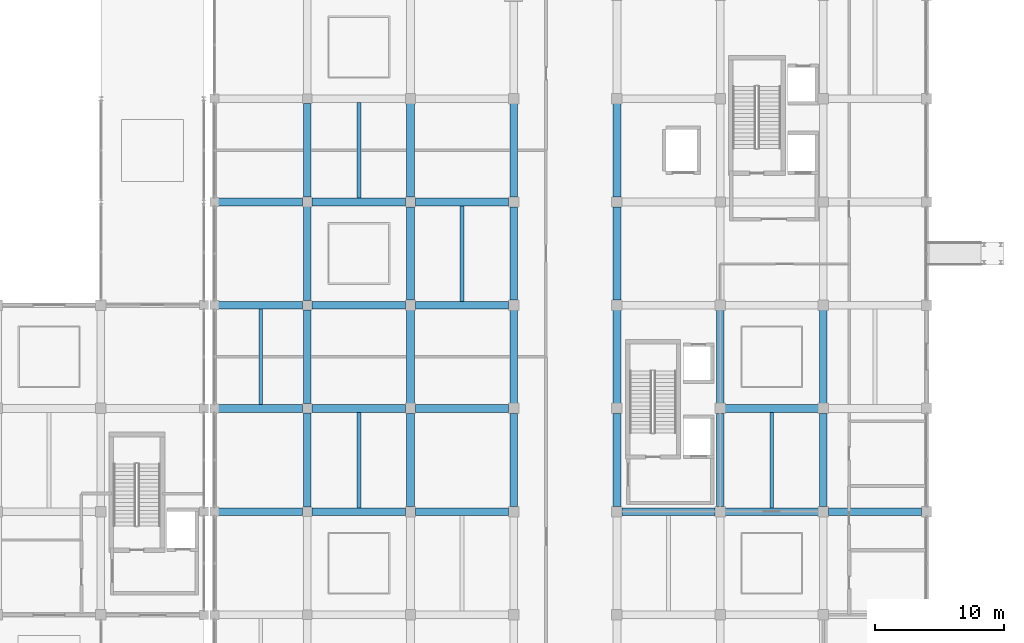
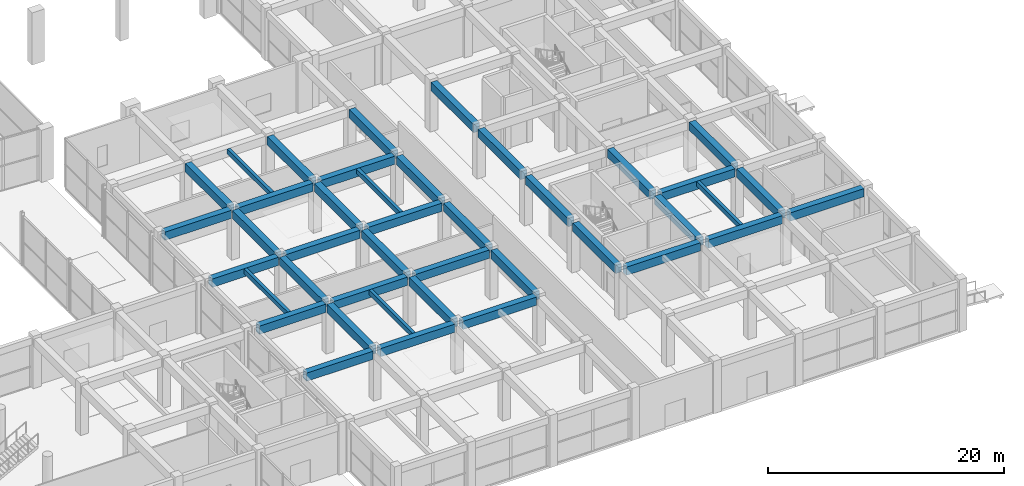
# One storey, part 37 of 86: 41 beams.
"""IFC4 building model written with IfcOpenShell, lengths in metres."""

from ifc_helpers import new_model, si_unit, direction, frame, origin, origin_2d, place, context, subcontext, project, spatial, rectangle, extrude, material, material_profile, profile_set, type_object, element, save


model = new_model("IFC4")

# Units and contexts
model_context = context("Model", 3, precision=1e-05, world=origin(), true_north=direction((0.0, 1.0)))
body_context = subcontext(model_context, "Body", "Model", "MODEL_VIEW")
ifc_project = project(units=[si_unit("LENGTHUNIT", "METRE"), si_unit("AREAUNIT", "SQUARE_METRE"), si_unit("VOLUMEUNIT", "CUBIC_METRE"), si_unit("PLANEANGLEUNIT", "RADIAN"), si_unit("MASSUNIT", "GRAM", prefix="KILO")], contexts=[model_context])

# Site, building, storey
site_placement = place(None, origin())
site = spatial("IfcSite", under=ifc_project, at=site_placement, CompositionType="ELEMENT")
building_placement = place(site_placement, origin())
building = spatial("IfcBuilding", under=site, at=building_placement, Name="Kenh Van Central Station", CompositionType="ELEMENT")
storey_placement = place(building_placement, origin())
storey = spatial("IfcBuildingStorey", under=building, at=storey_placement, Name="L00", CompositionType="ELEMENT", Elevation=0.0)

# Beams
ifc_material = material(Name="Concrete C35/45", Category="concrete")
ifc_material_profile_1 = material_profile(ifc_material, rectangle(XDim=0.60009765625, YDim=0.85009765625, at=origin_2d()), Name="RC 600x850")
ifc_profile_set_1 = profile_set([ifc_material_profile_1], Name="Concrete C35/45")
beam_type_1 = type_object("IfcBeamType", Name="BM-RC-600x850", PredefinedType="BEAM", material=ifc_profile_set_1)
beam_1_placement = place(storey_placement, frame((121.139892578125, 24.0, 4.695068359375), z_axis=(1.0, 0.0, 0.0), x_axis=(0.0, 1.0, 0.0)))
element("IfcBeam", 1, at=beam_1_placement, inside=storey, type_object=beam_type_1, Name="L00 beam 0386", PredefinedType="BEAM", context=body_context, shape_type="SweptSolid", body=[
    extrude(rectangle(XDim=0.60009765625, YDim=0.85009765625, at=origin_2d()), origin(), (0.0, 0.0, 1.0), 6.4951171875),
])
beam_2_placement = place(storey_placement, frame((128.364990234375, 24.0, 4.695068359375), z_axis=(1.0, 0.0, 0.0), x_axis=(0.0, 1.0, 0.0)))
element("IfcBeam", 2, at=beam_2_placement, inside=storey, type_object=beam_type_1, Name="L00 beam 0387", PredefinedType="BEAM", context=body_context, shape_type="SweptSolid", body=[
    extrude(rectangle(XDim=0.60009765625, YDim=0.85009765625, at=origin_2d()), origin(), (0.0, 0.0, 1.0), 7.2451171875),
])
for number, where, z_axis, x_axis, name in (
    (3, (136.389892578125, 24.0, 4.695068359375), (1.0, 0.0, 0.0), (0.0, 1.0, 0.0), "L00 beam 0388"),
    (4, (152.389892578125, 24.0, 4.695068359375), (1.0, 0.0, 0.0), (0.0, 1.0, 0.0), "L00 beam 0389"),
    (5, (160.389892578125, 24.0, 4.695068359375), (1.0, 0.0, 0.0), (0.0, 1.0, 0.0), "L00 beam 0390"),
    (6, (168.389892578125, 24.0, 4.695068359375), (1.0, 0.0, 0.0), (0.0, 1.0, 0.0), "L00 beam 0391"),
):
    element("IfcBeam", number, at=place(storey_placement, frame(where, z_axis=z_axis, x_axis=x_axis)), inside=storey, type_object=beam_type_1, Name=name, PredefinedType="BEAM", context=body_context, shape_type="SweptSolid", body=[
        extrude(rectangle(XDim=0.60009765625, YDim=0.85009765625, at=origin_2d()), origin(), (0.0, 0.0, 1.0), 7.22021484375),
    ])
beam_3_placement = place(storey_placement, frame((121.139892578125, 32.0, 4.695068359375), z_axis=(1.0, 0.0, 0.0), x_axis=(0.0, 1.0, 0.0)))
element("IfcBeam", 7, at=beam_3_placement, inside=storey, type_object=beam_type_1, Name="L00 beam 0401", PredefinedType="BEAM", context=body_context, shape_type="SweptSolid", body=[
    extrude(rectangle(XDim=0.60009765625, YDim=0.85009765625, at=origin_2d()), origin(), (0.0, 0.0, 1.0), 6.4951171875),
])
beam_4_placement = place(storey_placement, frame((128.364990234375, 32.0, 4.695068359375), z_axis=(1.0, 0.0, 0.0), x_axis=(0.0, 1.0, 0.0)))
element("IfcBeam", 8, at=beam_4_placement, inside=storey, type_object=beam_type_1, Name="L00 beam 0402", PredefinedType="BEAM", context=body_context, shape_type="SweptSolid", body=[
    extrude(rectangle(XDim=0.60009765625, YDim=0.85009765625, at=origin_2d()), origin(), (0.0, 0.0, 1.0), 7.2451171875),
])
for number, where, z_axis, x_axis, name in (
    (9, (136.389892578125, 32.0, 4.695068359375), (1.0, 0.0, 0.0), (0.0, 1.0, 0.0), "L00 beam 0403"),
    (10, (160.389892578125, 32.0, 4.695068359375), (1.0, 0.0, 0.0), (0.0, 1.0, 0.0), "L00 beam 0404"),
):
    element("IfcBeam", number, at=place(storey_placement, frame(where, z_axis=z_axis, x_axis=x_axis)), inside=storey, type_object=beam_type_1, Name=name, PredefinedType="BEAM", context=body_context, shape_type="SweptSolid", body=[
        extrude(rectangle(XDim=0.60009765625, YDim=0.85009765625, at=origin_2d()), origin(), (0.0, 0.0, 1.0), 7.22021484375),
    ])
beam_5_placement = place(storey_placement, frame((121.139892578125, 40.0, 4.695068359375), z_axis=(1.0, 0.0, 0.0), x_axis=(0.0, 1.0, 0.0)))
element("IfcBeam", 11, at=beam_5_placement, inside=storey, type_object=beam_type_1, Name="L00 beam 0420", PredefinedType="BEAM", context=body_context, shape_type="SweptSolid", body=[
    extrude(rectangle(XDim=0.60009765625, YDim=0.85009765625, at=origin_2d()), origin(), (0.0, 0.0, 1.0), 6.4951171875),
])
beam_6_placement = place(storey_placement, frame((128.364990234375, 40.0, 4.695068359375), z_axis=(1.0, 0.0, 0.0), x_axis=(0.0, 1.0, 0.0)))
element("IfcBeam", 12, at=beam_6_placement, inside=storey, type_object=beam_type_1, Name="L00 beam 0421", PredefinedType="BEAM", context=body_context, shape_type="SweptSolid", body=[
    extrude(rectangle(XDim=0.60009765625, YDim=0.85009765625, at=origin_2d()), origin(), (0.0, 0.0, 1.0), 7.2451171875),
])
beam_7_placement = place(storey_placement, frame((136.389892578125, 40.0, 4.695068359375), z_axis=(1.0, 0.0, 0.0), x_axis=(0.0, 1.0, 0.0)))
element("IfcBeam", 13, at=beam_7_placement, inside=storey, type_object=beam_type_1, Name="L00 beam 0422", PredefinedType="BEAM", context=body_context, shape_type="SweptSolid", body=[
    extrude(rectangle(XDim=0.60009765625, YDim=0.85009765625, at=origin_2d()), origin(), (0.0, 0.0, 1.0), 7.22021484375),
])
beam_8_placement = place(storey_placement, frame((121.139892578125, 48.0, 4.695068359375), z_axis=(1.0, 0.0, 0.0), x_axis=(0.0, 1.0, 0.0)))
element("IfcBeam", 14, at=beam_8_placement, inside=storey, type_object=beam_type_1, Name="L00 beam 0431", PredefinedType="BEAM", context=body_context, shape_type="SweptSolid", body=[
    extrude(rectangle(XDim=0.60009765625, YDim=0.85009765625, at=origin_2d()), origin(), (0.0, 0.0, 1.0), 6.4951171875),
])
beam_9_placement = place(storey_placement, frame((128.364990234375, 48.0, 4.695068359375), z_axis=(1.0, 0.0, 0.0), x_axis=(0.0, 1.0, 0.0)))
element("IfcBeam", 15, at=beam_9_placement, inside=storey, type_object=beam_type_1, Name="L00 beam 0432", PredefinedType="BEAM", context=body_context, shape_type="SweptSolid", body=[
    extrude(rectangle(XDim=0.60009765625, YDim=0.85009765625, at=origin_2d()), origin(), (0.0, 0.0, 1.0), 7.2451171875),
])
beam_10_placement = place(storey_placement, frame((136.389892578125, 48.0, 4.695068359375), z_axis=(1.0, 0.0, 0.0), x_axis=(0.0, 1.0, 0.0)))
element("IfcBeam", 16, at=beam_10_placement, inside=storey, type_object=beam_type_1, Name="L00 beam 0433", PredefinedType="BEAM", context=body_context, shape_type="SweptSolid", body=[
    extrude(rectangle(XDim=0.60009765625, YDim=0.85009765625, at=origin_2d()), origin(), (0.0, 0.0, 1.0), 7.22021484375),
])
for number, where, z_axis, x_axis, name in (
    (17, (128.0, 24.364990234375, 4.695068359375), (0.0, 1.0, 0.0), (-1.0, 0.0, 0.0), "L00 beam 0521"),
    (18, (128.0, 32.364990234375, 4.695068359375), (0.0, 1.0, 0.0), (-1.0, 0.0, 0.0), "L00 beam 0522"),
    (19, (128.0, 40.364990234375, 4.695068359375), (0.0, 1.0, 0.0), (-1.0, 0.0, 0.0), "L00 beam 0523"),
    (20, (128.0, 48.364990234375, 4.695068359375), (0.0, 1.0, 0.0), (-1.0, 0.0, 0.0), "L00 beam 0524"),
):
    element("IfcBeam", number, at=place(storey_placement, frame(where, z_axis=z_axis, x_axis=x_axis)), inside=storey, type_object=beam_type_1, Name=name, PredefinedType="BEAM", context=body_context, shape_type="SweptSolid", body=[
        extrude(rectangle(XDim=0.60009765625, YDim=0.85009765625, at=origin_2d()), origin(), (0.0, 0.0, 1.0), 7.27001953125),
    ])
for number, where, z_axis, x_axis, name in (
    (21, (136.0, 24.389892578125, 4.695068359375), (0.0, 1.0, 0.0), (-1.0, 0.0, 0.0), "L00 beam 0528"),
    (22, (136.0, 32.389892578125, 4.695068359375), (0.0, 1.0, 0.0), (-1.0, 0.0, 0.0), "L00 beam 0529"),
    (23, (136.0, 40.389892578125, 4.695068359375), (0.0, 1.0, 0.0), (-1.0, 0.0, 0.0), "L00 beam 0530"),
    (24, (136.0, 48.389892578125, 4.695068359375), (0.0, 1.0, 0.0), (-1.0, 0.0, 0.0), "L00 beam 0531"),
    (25, (144.0, 24.389892578125, 4.695068359375), (0.0, 1.0, 0.0), (-1.0, 0.0, 0.0), "L00 beam 0535"),
    (26, (144.0, 32.389892578125, 4.695068359375), (0.0, 1.0, 0.0), (-1.0, 0.0, 0.0), "L00 beam 0536"),
    (27, (144.0, 40.389892578125, 4.695068359375), (0.0, 1.0, 0.0), (-1.0, 0.0, 0.0), "L00 beam 0537"),
    (28, (144.0, 48.389892578125, 4.695068359375), (0.0, 1.0, 0.0), (-1.0, 0.0, 0.0), "L00 beam 0538"),
    (29, (152.0, 24.389892578125, 4.695068359375), (0.0, 1.0, 0.0), (-1.0, 0.0, 0.0), "L00 beam 0546"),
    (30, (152.0, 32.389892578125, 4.695068359375), (0.0, 1.0, 0.0), (-1.0, 0.0, 0.0), "L00 beam 0547"),
    (31, (152.0, 40.389892578125, 4.695068359375), (0.0, 1.0, 0.0), (-1.0, 0.0, 0.0), "L00 beam 0548"),
    (32, (152.0, 48.389892578125, 4.695068359375), (0.0, 1.0, 0.0), (-1.0, 0.0, 0.0), "L00 beam 0549"),
    (33, (160.0, 24.389892578125, 4.695068359375), (0.0, 1.0, 0.0), (-1.0, 0.0, 0.0), "L00 beam 0557"),
    (34, (160.0, 32.389892578125, 4.695068359375), (0.0, 1.0, 0.0), (-1.0, 0.0, 0.0), "L00 beam 0558"),
    (35, (168.0, 24.389892578125, 4.695068359375), (0.0, 1.0, 0.0), (-1.0, 0.0, 0.0), "L00 beam 0568"),
    (36, (168.0, 32.389892578125, 4.695068359375), (0.0, 1.0, 0.0), (-1.0, 0.0, 0.0), "L00 beam 0569"),
):
    element("IfcBeam", number, at=place(storey_placement, frame(where, z_axis=z_axis, x_axis=x_axis)), inside=storey, type_object=beam_type_1, Name=name, PredefinedType="BEAM", context=body_context, shape_type="SweptSolid", body=[
        extrude(rectangle(XDim=0.60009765625, YDim=0.85009765625, at=origin_2d()), origin(), (0.0, 0.0, 1.0), 7.22021484375),
    ])
ifc_material_profile_2 = material_profile(ifc_material, rectangle(XDim=0.300048828125, YDim=0.5, at=origin_2d()), Name="RC 300x500")
ifc_profile_set_2 = profile_set([ifc_material_profile_2], Name="Concrete C35/45")
beam_type_2 = type_object("IfcBeamType", Name="JST-RC-300x500", PredefinedType="JOIST", material=ifc_profile_set_2)
for number, where, z_axis, x_axis, name in (
    (37, (124.39990234375, 32.300048828125, 4.8701171875), (0.0, 1.0, 0.0), (-1.0, 0.0, 0.0), "L00 floor joist 0601"),
    (38, (132.0, 24.300048828125, 4.8701171875), (0.0, 1.0, 0.0), (-1.0, 0.0, 0.0), "L00 floor joist 0602"),
    (39, (132.0, 48.300048828125, 4.8701171875), (0.0, 1.0, 0.0), (-1.0, 0.0, 0.0), "L00 floor joist 0603"),
    (40, (140.0, 40.300048828125, 4.8701171875), (0.0, 1.0, 0.0), (-1.0, 0.0, 0.0), "L00 floor joist 0605"),
    (41, (164.0, 24.300048828125, 4.8701171875), (0.0, 1.0, 0.0), (-1.0, 0.0, 0.0), "L00 floor joist 0608"),
):
    element("IfcBeam", number, at=place(storey_placement, frame(where, z_axis=z_axis, x_axis=x_axis)), inside=storey, type_object=beam_type_2, Name=name, PredefinedType="JOIST", context=body_context, shape_type="SweptSolid", body=[
        extrude(rectangle(XDim=0.300048828125, YDim=0.5, at=origin_2d()), origin(), (0.0, 0.0, 1.0), 7.39990234375),
    ])

save(model, "model.ifc")
